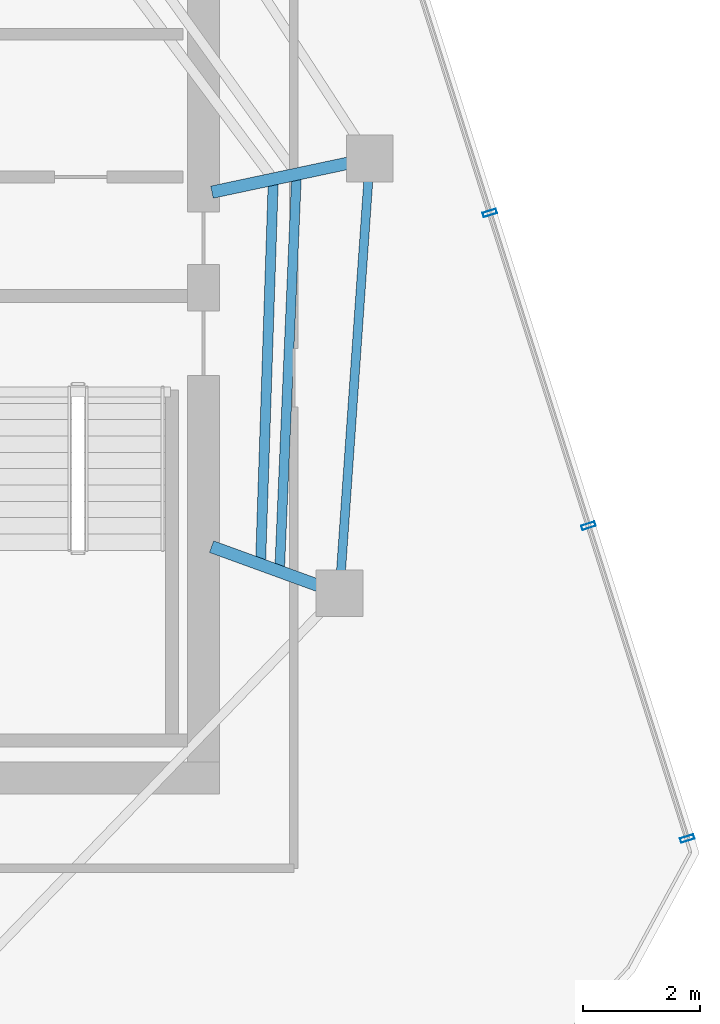
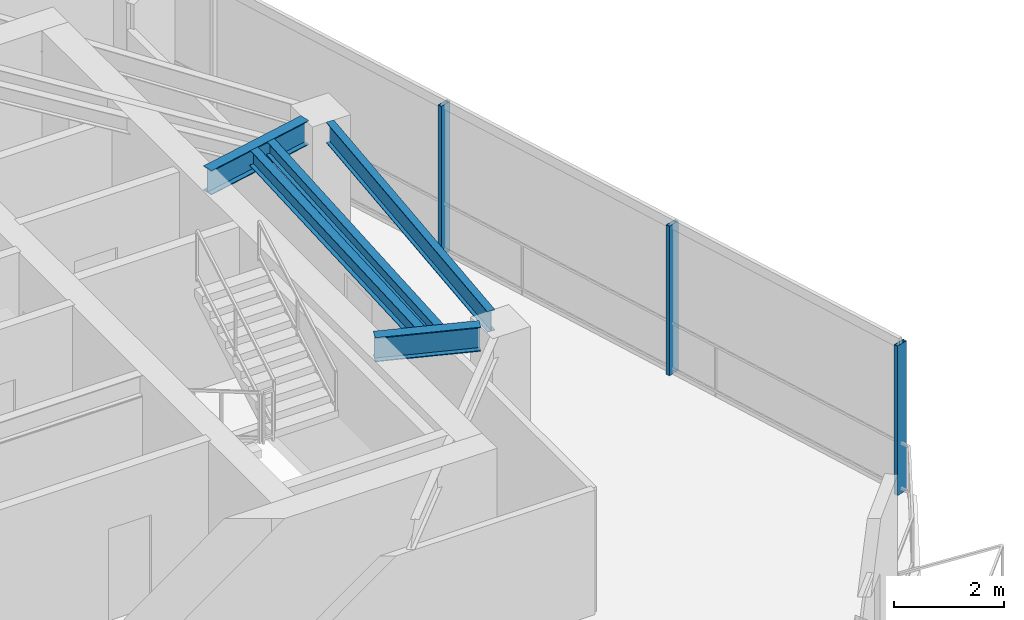
# One storey, part 10 of 18: 5 beams, 3 members, 1 element without a shape of its own.
"""IFC4 building model written with IfcOpenShell, lengths in metres."""

from ifc_helpers import new_model, si_unit, direction, frame, origin, origin_2d, place, context, subcontext, project, spatial, hollow_rectangle, i_section, extrude, material, layer, layer_set, material_profile, profile_set, type_object, element, aggregate, save


model = new_model("IFC4")

# Units and contexts
model_context = context("Model", 3, precision=1e-05, world=origin(), true_north=direction((0.0, 1.0)))
body_context = subcontext(model_context, "Body", "Model", "MODEL_VIEW")
ifc_project = project(units=[si_unit("LENGTHUNIT", "METRE"), si_unit("AREAUNIT", "SQUARE_METRE"), si_unit("VOLUMEUNIT", "CUBIC_METRE"), si_unit("PLANEANGLEUNIT", "RADIAN"), si_unit("MASSUNIT", "GRAM", prefix="KILO")], contexts=[model_context])

# Site, building, storey
site_placement = place(None, origin())
site = spatial("IfcSite", under=ifc_project, at=site_placement, CompositionType="ELEMENT")
building_placement = place(site_placement, origin())
building = spatial("IfcBuilding", under=site, at=building_placement, Name="Qarnah Convention Tower", CompositionType="ELEMENT")
storey_placement = place(building_placement, frame((0.0, 0.0, 246.300048828125)))
storey = spatial("IfcBuildingStorey", under=building, at=storey_placement, Name="L66", CompositionType="ELEMENT", Elevation=246.300048828125)

# Beams
ifc_material_1 = material(Name="Structural steel S355JR", Category="steel")
ifc_material_profile_1 = material_profile(ifc_material_1, i_section(OverallWidth=0.166015625, OverallDepth=0.31201171875, WebThickness=0.007080078125, FlangeThickness=0.010986328125, at=origin_2d()), Name="W310X45")
ifc_profile_set_1 = profile_set([ifc_material_profile_1], Name="Structural steel S355JR")
beam_type_1 = type_object("IfcBeamType", Name="BM-JST-W310", PredefinedType="JOIST", material=ifc_profile_set_1)
beam_1_placement = place(storey_placement, frame((48.909912109375, 22.22998046875, 3.1640625), z_axis=(0.042822559752, 0.999082693462, 0.0), x_axis=(-0.999082693462, 0.042822559752, 0.0)))
element("IfcBeam", 1, at=beam_1_placement, inside=storey, type_object=beam_type_1, Name="L66 joist BM-L66-SJST-09", PredefinedType="JOIST", context=body_context, shape_type="SweptSolid", body=[
    extrude(i_section(OverallWidth=0.166015625, OverallDepth=0.31201171875, WebThickness=0.007080078125, FlangeThickness=0.010986328125, at=origin_2d()), origin(), (0.0, 0.0, 1.0), 6.63623046875),
])
ifc_material_profile_2 = material_profile(ifc_material_1, i_section(OverallWidth=0.172119140625, OverallDepth=0.35595703125, WebThickness=0.007080078125, FlangeThickness=0.011962890625, at=origin_2d()), Name="W360X51")
ifc_profile_set_2 = profile_set([ifc_material_profile_2], Name="Structural steel S355JR")
beam_type_2 = type_object("IfcBeamType", Name="BM-JST-W360", PredefinedType="JOIST", material=ifc_profile_set_2)
beam_2_placement = place(storey_placement, frame((48.5830078125, 22.347900390625, 3.141845703125), z_axis=(0.033106248914, 0.999451837901, 0.0), x_axis=(-0.999451837901, 0.033106248914, 0.0)))
element("IfcBeam", 2, at=beam_2_placement, inside=storey, type_object=beam_type_2, Name="L66 joist BM-L66-IJST-09", PredefinedType="JOIST", context=body_context, shape_type="SweptSolid", body=[
    extrude(i_section(OverallWidth=0.172119140625, OverallDepth=0.35595703125, WebThickness=0.007080078125, FlangeThickness=0.011962890625, at=origin_2d()), origin(), (0.0, 0.0, 1.0), 6.430419921875),
])
ifc_material_profile_3 = material_profile(ifc_material_1, i_section(OverallWidth=0.2119140625, OverallDepth=0.5400390625, WebThickness=0.011962890625, FlangeThickness=0.01904296875, at=origin_2d()), Name="W530X109")
ifc_profile_set_3 = profile_set([ifc_material_profile_3], Name="Structural steel S355JR")
beam_type_3 = type_object("IfcBeamType", Name="BM-RAD-W530A", PredefinedType="BEAM", material=ifc_profile_set_3)
beam_3_placement = place(storey_placement, frame((47.7470703125, 28.64111328125, 3.050048828125), z_axis=(0.978103714349, 0.20811805298, 0.0), x_axis=(-0.20811805298, 0.978103714349, 0.0)))
element("IfcBeam", 3, at=beam_3_placement, inside=storey, type_object=beam_type_3, Name="L66 beam BM-L66-RAD-01", PredefinedType="BEAM", context=body_context, shape_type="SweptSolid", body=[
    extrude(i_section(OverallWidth=0.2119140625, OverallDepth=0.5400390625, WebThickness=0.011962890625, FlangeThickness=0.01904296875, at=origin_2d()), origin(), (0.0, 0.0, 1.0), 2.38720703125),
])
beam_4_placement = place(storey_placement, frame((47.740966796875, 22.56396484375, 3.050048828125), z_axis=(0.93967655832, -0.342064271363, 0.0), x_axis=(0.342064271363, 0.93967655832, 0.0)))
element("IfcBeam", 4, at=beam_4_placement, inside=storey, type_object=beam_type_3, Name="L66 beam BM-L66-RAD-09", PredefinedType="BEAM", context=body_context, shape_type="SweptSolid", body=[
    extrude(i_section(OverallWidth=0.2119140625, OverallDepth=0.5400390625, WebThickness=0.011962890625, FlangeThickness=0.01904296875, at=origin_2d()), origin(), (0.0, 0.0, 1.0), 1.95263671875),
])
ifc_material_profile_4 = material_profile(ifc_material_1, i_section(OverallWidth=0.154052734375, OverallDepth=0.4599609375, WebThickness=0.009033203125, FlangeThickness=0.014892578125, at=origin_2d()), Name="W460X68")
ifc_profile_set_4 = profile_set([ifc_material_profile_4], Name="Structural steel S355JR")
beam_type_4 = type_object("IfcBeamType", Name="BM-SPN-W460B", PredefinedType="SPANDREL", material=ifc_profile_set_4)
beam_5_placement = place(storey_placement, frame((49.9599609375, 22.155029296875, 3.08984375), z_axis=(0.069820410922, 0.997559577278, 0.0), x_axis=(-0.997559577278, 0.069820410922, 0.0)))
element("IfcBeam", 5, at=beam_5_placement, inside=storey, type_object=beam_type_4, Name="L66 spandrel BM-L66-SPN-09", PredefinedType="SPANDREL", context=body_context, shape_type="SweptSolid", body=[
    extrude(i_section(OverallWidth=0.154052734375, OverallDepth=0.4599609375, WebThickness=0.009033203125, FlangeThickness=0.014892578125, at=origin_2d()), origin(), (0.0, 0.0, 1.0), 6.689208984375),
])

# Curtain wall, members
ifc_material_2 = material(Name="Tempered Low-E dark glass", Category="glass")
ifc_layer = layer(ifc_material_2, 0.176025390625)
ifc_layer_set = layer_set([ifc_layer], Name="Tempered Low-E dark glass")
curtain_wall_type = type_object("IfcCurtainWallType", Name="CWS-05", PredefinedType="NOTDEFINED", material=ifc_layer_set)
curtain_wall_placement = place(storey_placement, origin())
curtain_wall = element("IfcCurtainWall", 6, at=curtain_wall_placement, inside=storey, type_object=curtain_wall_type, Name="L66 unitised curtain wall CW-L66-F2", PredefinedType="NOTDEFINED")
ifc_material_3 = material(Name="Black anodised aluminium", Category="aluminium")
ifc_material_profile_5 = material_profile(ifc_material_3, hollow_rectangle(XDim=0.080078125, YDim=0.239990234375, WallThickness=0.0048828125, at=origin_2d()), Name="MUL-80X240")
ifc_profile_set_5 = profile_set([ifc_material_profile_5], Name="Black anodised aluminium")
member_type = type_object("IfcMemberType", Name="MUL-T5", PredefinedType="MULLION", material=ifc_profile_set_5)
member_1_placement = place(storey_placement, frame((52.509765625, 28.284912109375, 0.0), z_axis=(0.0, 0.0, 1.0), x_axis=(0.301024127951, -0.953616523762, 0.0)))
member_1 = element("IfcMember", 7, at=member_1_placement, type_object=member_type, Name="CW-L66-F2 mullion 4", PredefinedType="MULLION", context=body_context, shape_type="SweptSolid", body=[
    extrude(hollow_rectangle(XDim=0.080078125, YDim=0.239990234375, WallThickness=0.0048828125, at=origin_2d()), origin(), (0.0, 0.0, 1.0), 3.320068359375),
])
member_2_placement = place(storey_placement, frame((54.202392578125, 22.923095703125, 0.0), z_axis=(0.0, 0.0, 1.0), x_axis=(0.301024127951, -0.953616523762, 0.0)))
member_2 = element("IfcMember", 8, at=member_2_placement, type_object=member_type, Name="CW-L66-F2 mullion 5", PredefinedType="MULLION", context=body_context, shape_type="SweptSolid", body=[
    extrude(hollow_rectangle(XDim=0.080078125, YDim=0.239990234375, WallThickness=0.0048828125, at=origin_2d()), origin(), (0.0, 0.0, 1.0), 3.320068359375),
])
member_3_placement = place(storey_placement, frame((55.89501953125, 17.56103515625, 0.0), z_axis=(0.0, 0.0, 1.0), x_axis=(0.301024127951, -0.953616523762, 0.0)))
member_3 = element("IfcMember", 9, at=member_3_placement, type_object=member_type, Name="CW-L66-F2 mullion 6", PredefinedType="MULLION", context=body_context, shape_type="SweptSolid", body=[
    extrude(hollow_rectangle(XDim=0.080078125, YDim=0.239990234375, WallThickness=0.0048828125, at=origin_2d()), origin(), (0.0, 0.0, 1.0), 3.320068359375),
])
aggregate(curtain_wall, [member_1, member_2, member_3])

save(model, "model.ifc")
